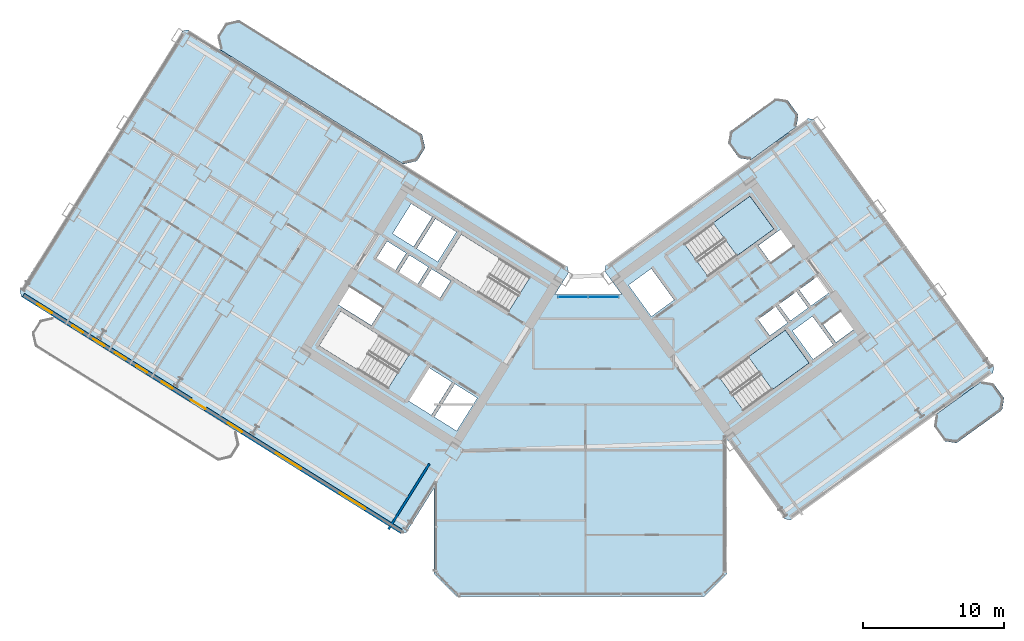
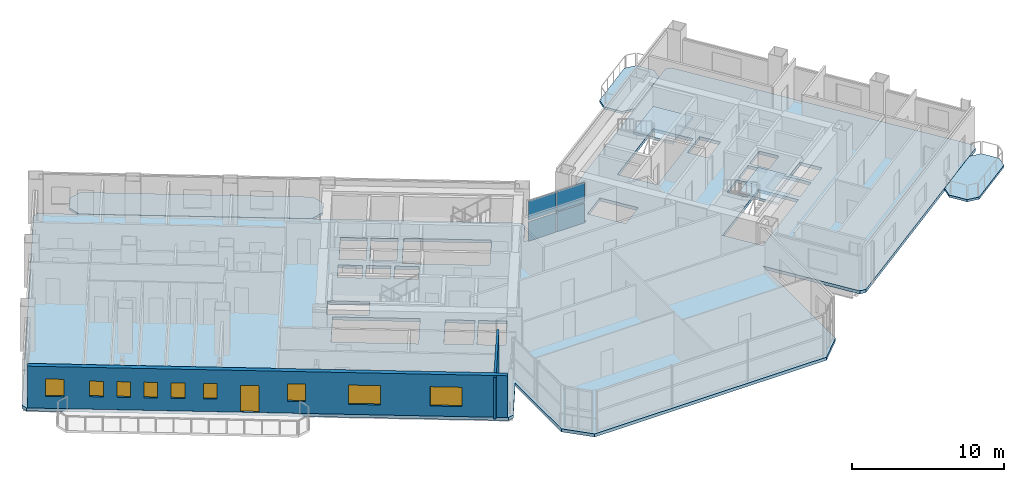
# One storey, part 14 of 28: 9 windows, 6 slabs, 4 plates, 2 walls, 1 door, 10 openings, 3 elements without a shape of their own.
"""IFC4 building model written with IfcOpenShell, lengths in metres."""

from ifc_helpers import new_model, si_unit, direction, frame, frame_2d, origin, origin_2d, place, context, subcontext, project, spatial, polyline, rectangle, outline, extrude, source, transform, mapped, material, layer, layer_set, type_object, element, fill, aggregate, save


model = new_model("IFC4")

# Units and contexts
model_context = context("Model", 3, precision=1e-05, world=origin(), true_north=direction((0.0, 1.0)))
body_context = subcontext(model_context, "Body", "Model", "MODEL_VIEW")
ifc_project = project(units=[si_unit("LENGTHUNIT", "METRE"), si_unit("AREAUNIT", "SQUARE_METRE"), si_unit("VOLUMEUNIT", "CUBIC_METRE"), si_unit("PLANEANGLEUNIT", "RADIAN"), si_unit("MASSUNIT", "GRAM", prefix="KILO")], contexts=[model_context])

# Site, building, storey
site_placement = place(None, origin())
site = spatial("IfcSite", under=ifc_project, at=site_placement, CompositionType="ELEMENT")
building_placement = place(site_placement, origin())
building = spatial("IfcBuilding", under=site, at=building_placement, Name="Tlacorven Tower", CompositionType="ELEMENT")
storey_placement = place(building_placement, frame((0.0, 0.0, 63.60009765625)))
storey = spatial("IfcBuildingStorey", under=building, at=storey_placement, Name="L16", CompositionType="ELEMENT", Elevation=63.60009765625)

# Slabs
ifc_material_1 = material(Name="Precast concrete C45/55", Category="concrete")
ifc_layer_1 = layer(ifc_material_1, 0.179931640625)
ifc_layer_set_1 = layer_set([ifc_layer_1], Name="Precast concrete C45/55")
slab_type_1 = type_object("IfcSlabType", Name="SL-BAL-180", PredefinedType="USERDEFINED", material=ifc_layer_set_1)
slab_1_placement = place(storey_placement, frame((0.0, 0.0, -0.18017578125)))
element("IfcSlab", 1, at=slab_1_placement, inside=storey, type_object=slab_type_1, Name="L16 West Wing Balcony Ribbon IN", ObjectType="BALCONY SLAB", PredefinedType="USERDEFINED", context=body_context, shape_type="SweptSolid", body=[
    extrude(outline(polyline([(30.756591796875, 34.57763671875), (17.781494140625, 42.685546875), (16.81689453125, 42.462890625), (16.236572265625, 41.5341796875), (16.459228515625, 40.569580078125), (29.434326171875, 32.4619140625), (30.39892578125, 32.6845703125), (30.979248046875, 33.613037109375), (30.756591796875, 34.57763671875)])), origin(), (0.0, 0.0, 1.0), 0.18017578125),
])
slab_2_placement = place(storey_placement, frame((0.0, 0.0, -0.18017578125)))
element("IfcSlab", 2, at=slab_2_placement, inside=storey, type_object=slab_type_1, Name="L16 East Wing Balcony Ribbon OUT", ObjectType="BALCONY SLAB", PredefinedType="USERDEFINED", context=body_context, shape_type="SweptSolid", body=[
    extrude(outline(polyline([(68.669921875, 12.678955078125), (71.906005859375, 15.0302734375), (72.03857421875, 15.8681640625), (71.27734375, 16.916015625), (70.439453125, 17.048583984375), (67.203369140625, 14.697509765625), (67.070556640625, 13.859375), (67.831787109375, 12.811767578125), (68.669921875, 12.678955078125)])), origin(), (0.0, 0.0, 1.0), 0.18017578125),
])
slab_3_placement = place(storey_placement, frame((0.0, 0.0, -0.18017578125)))
element("IfcSlab", 3, at=slab_3_placement, inside=storey, type_object=slab_type_1, Name="L16 East Wing Balcony Ribbon IN", ObjectType="BALCONY SLAB", PredefinedType="USERDEFINED", context=body_context, shape_type="SweptSolid", body=[
    extrude(outline(polyline([(54.078125, 32.762939453125), (57.314208984375, 35.114013671875), (57.44677734375, 35.9521484375), (56.685791015625, 36.999755859375), (55.84765625, 37.132568359375), (52.611572265625, 34.78125), (52.478759765625, 33.943359375), (53.239990234375, 32.8955078125), (54.078125, 32.762939453125)])), origin(), (0.0, 0.0, 1.0), 0.18017578125),
])

# Stair, slab
ifc_material_2 = material(Name="Concrete C40/50", Category="concrete")
stair_type = type_object("IfcStairType", Name="ST-CORE-DLG", PredefinedType="HALF_TURN_STAIR", material=ifc_material_2)
stair_1_placement = place(storey_placement, origin())
stair_1 = element("IfcStair", 4, at=stair_1_placement, inside=storey, type_object=stair_type, Name="L16 Protected Exit Stair East 1", PredefinedType="HALF_TURN_STAIR")
ifc_layer_2 = layer(ifc_material_2, 0.199951171875)
ifc_layer_set_2 = layer_set([ifc_layer_2], Name="Concrete C40/50")
slab_type_2 = type_object("IfcSlabType", Name="SL-LND-200", PredefinedType="LANDING", material=ifc_layer_set_2)
slab_4_placement = place(storey_placement, frame((0.0, 0.0, 1.599853515625)))
slab_4 = element("IfcSlab", 5, at=slab_4_placement, type_object=slab_type_2, Name="ST-E1 landing 1", PredefinedType="LANDING", context=body_context, shape_type="SweptSolid", body=[
    extrude(outline(polyline([(53.09765625, 25.962890625), (55.7109375, 27.861572265625), (54.01806640625, 30.19140625), (51.40478515625, 28.29296875), (53.09765625, 25.962890625)])), origin(), (0.0, 0.0, 1.0), 0.199951171875),
])
aggregate(stair_1, [slab_4])

stair_2_placement = place(storey_placement, origin())
stair_2 = element("IfcStair", 6, at=stair_2_placement, inside=storey, type_object=stair_type, Name="L16 Protected Exit Stair East 2", PredefinedType="HALF_TURN_STAIR")
slab_5_placement = place(storey_placement, frame((0.0, 0.0, 1.599853515625)))
slab_5 = element("IfcSlab", 7, at=slab_5_placement, type_object=slab_type_2, Name="ST-E2 landing 1", PredefinedType="LANDING", context=body_context, shape_type="SweptSolid", body=[
    extrude(outline(polyline([(55.601806640625, 16.4599609375), (58.21484375, 18.3583984375), (56.52197265625, 20.6884765625), (53.908935546875, 18.789794921875), (55.601806640625, 16.4599609375)])), origin(), (0.0, 0.0, 1.0), 0.199951171875),
])
aggregate(stair_2, [slab_5])

# Slab
ifc_layer_3 = layer(ifc_material_2, 0.25)
ifc_layer_set_3 = layer_set([ifc_layer_3], Name="Concrete C40/50")
slab_type_3 = type_object("IfcSlabType", Name="SL-TWR-250", PredefinedType="FLOOR", material=ifc_layer_set_3)
slab_6_placement = place(storey_placement, frame((0.0, 0.0, -0.25)))
element("IfcSlab", 8, at=slab_6_placement, inside=storey, type_object=slab_type_3, Name="L16 Boomerang Tower Floor Slab", PredefinedType="FLOOR", context=body_context, shape_type="SweptSolid", body=[
    extrude(outline(polyline([(52.39990234375, 3.39990234375), (50.800048828125, 1.800048828125), (33.199951171875, 1.800048828125), (31.60009765625, 3.39990234375), (31.60009765625, 9.470703125), (29.652587890625, 6.35400390625), (29.2392578125, 6.258544921875), (2.339111328125, 23.067626953125), (2.24365234375, 23.481201171875), (13.75341796875, 41.900634765625), (14.1669921875, 41.99609375), (41.06689453125, 25.18701171875), (41.162353515625, 24.773681640625), (40.178955078125, 23.199951171875), (44.932373046875, 23.199951171875), (43.723876953125, 24.86328125), (43.790283203125, 25.2822265625), (58.1259765625, 35.69775390625), (58.545166015625, 35.63134765625), (71.311767578125, 18.0595703125), (71.245361328125, 17.640380859375), (56.90966796875, 7.224853515625), (56.49072265625, 7.291259765625), (52.39990234375, 12.921630859375), (52.39990234375, 3.39990234375)]), holes=[polyline([(29.865478515625, 18.979736328125), (24.9892578125, 22.02685546875), (23.463134765625, 19.58447265625), (28.33935546875, 16.537353515625), (29.865478515625, 18.979736328125)]), polyline([(38.4169921875, 24.4375), (33.540771484375, 27.484375), (32.0146484375, 25.0419921875), (36.890869140625, 21.9951171875), (38.4169921875, 24.4375)]), polyline([(51.05908203125, 24.481689453125), (55.7109375, 27.861572265625), (54.01806640625, 30.19140625), (49.3662109375, 26.811767578125), (51.05908203125, 24.481689453125)]), polyline([(53.56298828125, 14.978759765625), (58.21484375, 18.3583984375), (56.52197265625, 20.6884765625), (51.8701171875, 17.30859375), (53.56298828125, 14.978759765625)]), polyline([(34.682373046875, 15.87548828125), (33.088134765625, 16.871826171875), (31.62548828125, 14.531005859375), (33.2197265625, 13.534912109375), (34.682373046875, 15.87548828125)]), polyline([(32.884521484375, 16.9990234375), (31.2392578125, 18.02685546875), (29.77685546875, 15.686279296875), (31.421875, 14.658203125), (32.884521484375, 16.9990234375)]), polyline([(47.0234375, 21.648681640625), (48.6416015625, 22.82421875), (47.019287109375, 25.05712890625), (45.401123046875, 23.881591796875), (47.0234375, 21.648681640625)]), polyline([(33.197265625, 27.65185546875), (31.704833984375, 28.58447265625), (30.3798828125, 26.46435546875), (31.87255859375, 25.53173828125), (33.197265625, 27.65185546875)]), polyline([(31.484375, 28.722412109375), (29.99169921875, 29.655029296875), (28.6669921875, 27.534912109375), (30.159423828125, 26.602294921875), (31.484375, 28.722412109375)]), polyline([(32.794921875, 24.17724609375), (31.43798828125, 25.025146484375), (30.685546875, 23.82080078125), (32.042236328125, 22.972900390625), (32.794921875, 24.17724609375)]), polyline([(31.217529296875, 25.162841796875), (29.860595703125, 26.0107421875), (29.108154296875, 24.806396484375), (30.465087890625, 23.958740234375), (31.217529296875, 25.162841796875)]), polyline([(29.64013671875, 26.1484375), (28.283203125, 26.996337890625), (27.53076171875, 25.792236328125), (28.8876953125, 24.9443359375), (29.64013671875, 26.1484375)]), polyline([(55.427734375, 20.288818359375), (56.68994140625, 21.205810546875), (55.855224609375, 22.354736328125), (54.59326171875, 21.437744140625), (55.427734375, 20.288818359375)]), polyline([(56.884033203125, 21.346923828125), (58.146240234375, 22.263916015625), (57.3115234375, 23.41259765625), (56.04931640625, 22.495849609375), (56.884033203125, 21.346923828125)]), polyline([(58.34033203125, 22.405029296875), (59.602294921875, 23.322021484375), (58.767578125, 24.470703125), (57.505615234375, 23.5537109375), (58.34033203125, 22.405029296875)]), polyline([(58.498779296875, 18.614013671875), (59.922607421875, 19.648681640625), (58.453125, 21.671142578125), (57.029296875, 20.63671875), (58.498779296875, 18.614013671875)]), polyline([(27.96142578125, 22.2919921875), (25.603759765625, 23.76513671875), (24.80908203125, 22.4931640625), (27.16650390625, 21.02001953125), (27.96142578125, 22.2919921875)]), polyline([(55.490478515625, 25.4765625), (57.092529296875, 26.640380859375), (56.210693359375, 27.85400390625), (54.60888671875, 26.690185546875), (55.490478515625, 25.4765625)]), polyline([(60.12109375, 19.817626953125), (61.38330078125, 20.734619140625), (60.45458984375, 22.012939453125), (59.192626953125, 21.095947265625), (60.12109375, 19.817626953125)])]), origin(), (0.0, 0.0, 1.0), 0.25),
])

# Curtain wall, plates
ifc_material_3 = material(Name="Dark solar low-E double glazing in aluminium frame", Category="aluminium")
curtain_wall_type = type_object("IfcCurtainWallType", Name="CW-TWR-LOW", PredefinedType="USERDEFINED", material=ifc_material_3)
curtain_wall_placement = place(storey_placement, origin())
curtain_wall = element("IfcCurtainWall", 9, at=curtain_wall_placement, inside=storey, type_object=curtain_wall_type, Name="L16 CW-TWR-LOW Curtain Wall 92", ObjectType="UNITISED CURTAIN WALL", PredefinedType="USERDEFINED")
ifc_material_4 = material(Name="Dark solar double low-E glazing", Category="glass")
ifc_layer_4 = layer(ifc_material_4, 0.031982421875)
ifc_layer_set_4 = layer_set([ifc_layer_4], Name="Dark solar double low-E glazing")
plate_type = type_object("IfcPlateType", Name="CWP-02", PredefinedType="CURTAIN_PANEL", material=ifc_layer_set_4)
shared_shape_1 = source(origin(), body_context, "Body", "SweptSolid", [
    extrude(rectangle(XDim=2.110595703125, YDim=0.031982421875, at=origin_2d()), origin(), (0.0, 0.0, 1.0), 1.552978515625),
])
plate_1_placement = place(storey_placement, frame((41.47802734375, 23.0400390625, 0.06103515625), z_axis=(0.0, 0.0, 1.0), x_axis=(1.0, 0.0, 0.0)))
plate_1 = element("IfcPlate", 10, at=plate_1_placement, type_object=plate_type, Name="CW-L16-092 Glazing Panel 1", PredefinedType="CURTAIN_PANEL", context=body_context, shape_type="MappedRepresentation", body=[
    mapped(shared_shape_1, transform((0.0, 0.0, 0.0), scale=1.0)),
])
plate_2_placement = place(storey_placement, frame((41.47802734375, 23.0400390625, 1.73583984375), z_axis=(0.0, 0.0, 1.0), x_axis=(1.0, 0.0, 0.0)))
plate_2 = element("IfcPlate", 11, at=plate_2_placement, type_object=plate_type, Name="CW-L16-092 Glazing Panel 2", PredefinedType="CURTAIN_PANEL", context=body_context, shape_type="MappedRepresentation", body=[
    mapped(shared_shape_1, transform((0.0, 0.0, 0.0), scale=1.0)),
])
plate_3_placement = place(storey_placement, frame((43.640625, 23.0400390625, 0.06103515625), z_axis=(0.0, 0.0, 1.0), x_axis=(1.0, 0.0, 0.0)))
plate_3 = element("IfcPlate", 12, at=plate_3_placement, type_object=plate_type, Name="CW-L16-092 Glazing Panel 3", PredefinedType="CURTAIN_PANEL", context=body_context, shape_type="MappedRepresentation", body=[
    mapped(shared_shape_1, transform((0.0, 0.0, 0.0), scale=1.0)),
])
plate_4_placement = place(storey_placement, frame((43.640625, 23.0400390625, 1.73583984375), z_axis=(0.0, 0.0, 1.0), x_axis=(1.0, 0.0, 0.0)))
plate_4 = element("IfcPlate", 13, at=plate_4_placement, type_object=plate_type, Name="CW-L16-092 Glazing Panel 4", PredefinedType="CURTAIN_PANEL", context=body_context, shape_type="MappedRepresentation", body=[
    mapped(shared_shape_1, transform((0.0, 0.0, 0.0), scale=1.0)),
])
aggregate(curtain_wall, [plate_1, plate_2, plate_3, plate_4])

# Wall
ifc_material_5 = material(Name="Gypsum plasterboard acoustic partition", Category="gypsum")
ifc_layer_5 = layer(ifc_material_5, 0.159912109375)
ifc_layer_set_5 = layer_set([ifc_layer_5], Name="Gypsum plasterboard acoustic partition")
wall_type_1 = type_object("IfcWallType", Name="WL-DEM-160", PredefinedType="PARTITIONING", material=ifc_layer_set_5)
wall_1_placement = place(storey_placement, frame((31.282470703125, 11.2080078125, 0.0), z_axis=(0.0, 0.0, 1.0), x_axis=(-0.529938869374, -0.84803584519, 0.0)))
element("IfcWall", 14, at=wall_1_placement, inside=storey, type_object=wall_type_1, Name="L16 WC West Throat Wall", PredefinedType="PARTITIONING", context=body_context, shape_type="SweptSolid", body=[
    extrude(rectangle(XDim=5.47998046875, YDim=0.159912109375, at=frame_2d((2.739990234375, 0.0))), origin(), (0.0, 0.0, 1.0), 3.33984375),
])

# Wall, openings, door, windows
ifc_layer_6 = layer(ifc_material_1, 0.320068359375)
ifc_layer_set_6 = layer_set([ifc_layer_6], Name="Precast concrete C45/55")
wall_type_2 = type_object("IfcWallType", Name="WL-EXT-320", PredefinedType="STANDARD", material=ifc_layer_set_6)
wall_2_placement = place(storey_placement, frame((29.267822265625, 6.429443359375, 0.0), z_axis=(0.0, 0.0, 1.0), x_axis=(-0.848049971435, 0.529916263149, 0.0)))
wall_2 = element("IfcWall", 15, at=wall_2_placement, inside=storey, type_object=wall_type_2, Name="L16 Masonry-Frame Recessed Facade Wall 1", PredefinedType="STANDARD", context=body_context, shape_type="SweptSolid", body=[
    extrude(rectangle(XDim=31.587646484375, YDim=0.320068359375, at=frame_2d((15.7939453125, 0.0))), origin(), (0.0, 0.0, 1.0), 3.349853515625),
])
opening_1_placement = place(wall_2_placement, frame((16.36181640625, 0.0, 0.0)))
opening_1 = element("IfcOpeningElement", 16, at=opening_1_placement, cuts=wall_2, Name="Opening D05", PredefinedType="OPENING", context=body_context, shape_type="SweptSolid", body=[
    extrude(rectangle(XDim=1.199951171875, YDim=2.14990234375, at=frame_2d((0.60009765625, 1.074951171875))), frame((0.0, 0.169921875, 0.0), z_axis=(0.0, -1.0, 0.0), x_axis=(1.0, 0.0, 0.0)), (0.0, 0.0, 1.0), 0.340087890625),
])
opening_2_placement = place(wall_2_placement, frame((2.98876953125, 0.0, 0.800048828125)))
opening_2 = element("IfcOpeningElement", 17, at=opening_2_placement, cuts=wall_2, Name="Opening WN04", PredefinedType="OPENING", context=body_context, shape_type="SweptSolid", body=[
    extrude(rectangle(XDim=2.10009765625, YDim=1.550048828125, at=frame_2d((1.050048828125, 0.77490234375))), frame((0.0, 0.169921875, 0.0), z_axis=(0.0, -1.0, 0.0), x_axis=(1.0, 0.0, 0.0)), (0.0, 0.0, 1.0), 0.340087890625),
])
opening_3_placement = place(wall_2_placement, frame((8.358642578125, 0.0, 0.800048828125)))
opening_3 = element("IfcOpeningElement", 18, at=opening_3_placement, cuts=wall_2, Name="Opening WN04", PredefinedType="OPENING", context=body_context, shape_type="SweptSolid", body=[
    extrude(rectangle(XDim=2.10009765625, YDim=1.550048828125, at=frame_2d((1.050048828125, 0.77490234375))), frame((0.0, 0.169921875, 0.0), z_axis=(0.0, -1.0, 0.0), x_axis=(1.0, 0.0, 0.0)), (0.0, 0.0, 1.0), 0.340087890625),
])
opening_4_placement = place(wall_2_placement, frame((13.28369140625, 0.0, 0.949951171875)))
opening_4 = element("IfcOpeningElement", 19, at=opening_4_placement, cuts=wall_2, Name="Opening WN03", PredefinedType="OPENING", context=body_context, shape_type="SweptSolid", body=[
    extrude(rectangle(XDim=1.199951171875, YDim=1.39990234375, at=frame_2d((0.60009765625, 0.699951171875))), frame((0.0, 0.169921875, 0.0), z_axis=(0.0, -1.0, 0.0), x_axis=(1.0, 0.0, 0.0)), (0.0, 0.0, 1.0), 0.340087890625),
])
opening_5_placement = place(wall_2_placement, frame((29.18798828125, 0.0, 0.949951171875)))
opening_5 = element("IfcOpeningElement", 20, at=opening_5_placement, cuts=wall_2, Name="Opening WN03", PredefinedType="OPENING", context=body_context, shape_type="SweptSolid", body=[
    extrude(rectangle(XDim=1.199951171875, YDim=1.39990234375, at=frame_2d((0.60009765625, 0.699951171875))), frame((0.0, 0.169921875, 0.0), z_axis=(0.0, -1.0, 0.0), x_axis=(1.0, 0.0, 0.0)), (0.0, 0.0, 1.0), 0.340087890625),
])
opening_6_placement = place(wall_2_placement, frame((19.110107421875, 0.0, 1.0)))
opening_6 = element("IfcOpeningElement", 21, at=opening_6_placement, cuts=wall_2, Name="Opening WN05", PredefinedType="OPENING", context=body_context, shape_type="SweptSolid", body=[
    extrude(rectangle(XDim=0.89990234375, YDim=1.25, at=frame_2d((0.449951171875, 0.625))), frame((0.0, 0.169921875, 0.0), z_axis=(0.0, -1.0, 0.0), x_axis=(1.0, 0.0, 0.0)), (0.0, 0.0, 1.0), 0.340087890625),
])
opening_7_placement = place(wall_2_placement, frame((21.2255859375, 0.0, 1.0)))
opening_7 = element("IfcOpeningElement", 22, at=opening_7_placement, cuts=wall_2, Name="Opening WN05", PredefinedType="OPENING", context=body_context, shape_type="SweptSolid", body=[
    extrude(rectangle(XDim=0.89990234375, YDim=1.25, at=frame_2d((0.449951171875, 0.625))), frame((0.0, 0.169921875, 0.0), z_axis=(0.0, -1.0, 0.0), x_axis=(1.0, 0.0, 0.0)), (0.0, 0.0, 1.0), 0.340087890625),
])
opening_8_placement = place(wall_2_placement, frame((23.013671875, 0.0, 1.0)))
opening_8 = element("IfcOpeningElement", 23, at=opening_8_placement, cuts=wall_2, Name="Opening WN05", PredefinedType="OPENING", context=body_context, shape_type="SweptSolid", body=[
    extrude(rectangle(XDim=0.89990234375, YDim=1.25, at=frame_2d((0.449951171875, 0.625))), frame((0.0, 0.169921875, 0.0), z_axis=(0.0, -1.0, 0.0), x_axis=(1.0, 0.0, 0.0)), (0.0, 0.0, 1.0), 0.340087890625),
])
opening_9_placement = place(wall_2_placement, frame((24.8017578125, 0.0, 1.0)))
opening_9 = element("IfcOpeningElement", 24, at=opening_9_placement, cuts=wall_2, Name="Opening WN05", PredefinedType="OPENING", context=body_context, shape_type="SweptSolid", body=[
    extrude(rectangle(XDim=0.89990234375, YDim=1.25, at=frame_2d((0.449951171875, 0.625))), frame((0.0, 0.169921875, 0.0), z_axis=(0.0, -1.0, 0.0), x_axis=(1.0, 0.0, 0.0)), (0.0, 0.0, 1.0), 0.340087890625),
])
opening_10_placement = place(wall_2_placement, frame((26.589599609375, 0.0, 1.0)))
opening_10 = element("IfcOpeningElement", 25, at=opening_10_placement, cuts=wall_2, Name="Opening WN05", PredefinedType="OPENING", context=body_context, shape_type="SweptSolid", body=[
    extrude(rectangle(XDim=0.89990234375, YDim=1.25, at=frame_2d((0.449951171875, 0.625))), frame((0.0, 0.169921875, 0.0), z_axis=(0.0, -1.0, 0.0), x_axis=(1.0, 0.0, 0.0)), (0.0, 0.0, 1.0), 0.340087890625),
])
ifc_material_6 = material(Name="Powder-coated aluminium and timber door", Category="wood")
door_type = type_object("IfcDoorType", Name="DR-EXT-BALC-1200", OperationType="NOTDEFINED", PredefinedType="DOOR", material=ifc_material_6)
shared_shape_2 = source(origin(), body_context, "Body", "SweptSolid", [
    extrude(rectangle(XDim=1.199951171875, YDim=2.14990234375, at=frame_2d((0.60009765625, 1.074951171875))), frame((0.0, 0.02490234375, 0.0), z_axis=(0.0, -1.0, 0.0), x_axis=(1.0, 0.0, 0.0)), (0.0, 0.0, 1.0), 0.050048828125),
])
door_placement = place(opening_1_placement, origin())
door = element("IfcDoor", 26, at=door_placement, inside=storey, type_object=door_type, Name="L16 Outdoor Access Door BAL-L16-W-OUT", OperationType="SINGLE_SWING_LEFT", OverallHeight=2.14990234375, OverallWidth=1.199951171875, PredefinedType="DOOR", context=body_context, shape_type="MappedRepresentation", body=[
    mapped(shared_shape_2, transform((0.0, 0.0, 0.0), scale=1.0)),
])
fill(opening_1, door)
ifc_material_7 = material(Name="Dark solar low-E double glazing in anodised aluminium frame", Category="aluminium")
window_type_1 = type_object("IfcWindowType", Name="WN-APT-2100X1750", PartitioningType="SINGLE_PANEL", PredefinedType="WINDOW", material=ifc_material_7)
shared_shape_3 = source(origin(), body_context, "Body", "SweptSolid", [
    extrude(rectangle(XDim=2.10009765625, YDim=1.550048828125, at=frame_2d((1.050048828125, 0.77490234375))), frame((0.0, 0.030029296875, 0.0), z_axis=(0.0, -1.0, 0.0), x_axis=(1.0, 0.0, 0.0)), (0.0, 0.0, 1.0), 0.06005859375),
])
window_1_placement = place(opening_2_placement, origin())
window_1 = element("IfcWindow", 27, at=window_1_placement, inside=storey, type_object=window_type_1, Name="L16 Recessed Masonry-Frame Window L16-01.1", OverallHeight=1.550048828125, OverallWidth=2.10009765625, PartitioningType="SINGLE_PANEL", PredefinedType="WINDOW", context=body_context, shape_type="MappedRepresentation", body=[
    mapped(shared_shape_3, transform((0.0, 0.0, 0.0), scale=1.0)),
])
fill(opening_2, window_1)
window_2_placement = place(opening_3_placement, origin())
window_2 = element("IfcWindow", 28, at=window_2_placement, inside=storey, type_object=window_type_1, Name="L16 Recessed Masonry-Frame Window L16-01.2", OverallHeight=1.550048828125, OverallWidth=2.10009765625, PartitioningType="SINGLE_PANEL", PredefinedType="WINDOW", context=body_context, shape_type="MappedRepresentation", body=[
    mapped(shared_shape_3, transform((0.0, 0.0, 0.0), scale=1.0)),
])
fill(opening_3, window_2)
window_type_2 = type_object("IfcWindowType", Name="WN-APT-1200X1500", PartitioningType="SINGLE_PANEL", PredefinedType="WINDOW", material=ifc_material_7)
shared_shape_4 = source(origin(), body_context, "Body", "SweptSolid", [
    extrude(rectangle(XDim=1.199951171875, YDim=1.39990234375, at=frame_2d((0.60009765625, 0.699951171875))), frame((0.0, 0.030029296875, 0.0), z_axis=(0.0, -1.0, 0.0), x_axis=(1.0, 0.0, 0.0)), (0.0, 0.0, 1.0), 0.06005859375),
])
window_3_placement = place(opening_4_placement, origin())
window_3 = element("IfcWindow", 29, at=window_3_placement, inside=storey, type_object=window_type_2, Name="L16 Recessed Masonry-Frame Window L16-01.3", OverallHeight=1.39990234375, OverallWidth=1.199951171875, PartitioningType="SINGLE_PANEL", PredefinedType="WINDOW", context=body_context, shape_type="MappedRepresentation", body=[
    mapped(shared_shape_4, transform((0.0, 0.0, 0.0), scale=1.0)),
])
fill(opening_4, window_3)
window_4_placement = place(opening_5_placement, origin())
window_4 = element("IfcWindow", 30, at=window_4_placement, inside=storey, type_object=window_type_2, Name="L16 Recessed Masonry-Frame Window L16-01.4", OverallHeight=1.39990234375, OverallWidth=1.199951171875, PartitioningType="SINGLE_PANEL", PredefinedType="WINDOW", context=body_context, shape_type="MappedRepresentation", body=[
    mapped(shared_shape_4, transform((0.0, 0.0, 0.0), scale=1.0)),
])
fill(opening_5, window_4)
window_type_3 = type_object("IfcWindowType", Name="WN-APT-0900X1350", PartitioningType="SINGLE_PANEL", PredefinedType="WINDOW", material=ifc_material_7)
shared_shape_5 = source(origin(), body_context, "Body", "SweptSolid", [
    extrude(rectangle(XDim=0.89990234375, YDim=1.25, at=frame_2d((0.449951171875, 0.625))), frame((0.0, 0.030029296875, 0.0), z_axis=(0.0, -1.0, 0.0), x_axis=(1.0, 0.0, 0.0)), (0.0, 0.0, 1.0), 0.06005859375),
])
window_5_placement = place(opening_6_placement, origin())
window_5 = element("IfcWindow", 31, at=window_5_placement, inside=storey, type_object=window_type_3, Name="L16 Dwelling Daylight Window L16-U02-BD1", OverallHeight=1.25, OverallWidth=0.89990234375, PartitioningType="SINGLE_PANEL", PredefinedType="WINDOW", context=body_context, shape_type="MappedRepresentation", body=[
    mapped(shared_shape_5, transform((0.0, 0.0, 0.0), scale=1.0)),
])
fill(opening_6, window_5)
window_6_placement = place(opening_7_placement, origin())
window_6 = element("IfcWindow", 32, at=window_6_placement, inside=storey, type_object=window_type_3, Name="L16 Dwelling Daylight Window L16-U02-BD2", OverallHeight=1.25, OverallWidth=0.89990234375, PartitioningType="SINGLE_PANEL", PredefinedType="WINDOW", context=body_context, shape_type="MappedRepresentation", body=[
    mapped(shared_shape_5, transform((0.0, 0.0, 0.0), scale=1.0)),
])
fill(opening_7, window_6)
window_7_placement = place(opening_8_placement, origin())
window_7 = element("IfcWindow", 33, at=window_7_placement, inside=storey, type_object=window_type_3, Name="L16 Dwelling Daylight Window L16-U02-BD3", OverallHeight=1.25, OverallWidth=0.89990234375, PartitioningType="SINGLE_PANEL", PredefinedType="WINDOW", context=body_context, shape_type="MappedRepresentation", body=[
    mapped(shared_shape_5, transform((0.0, 0.0, 0.0), scale=1.0)),
])
fill(opening_8, window_7)
window_8_placement = place(opening_9_placement, origin())
window_8 = element("IfcWindow", 34, at=window_8_placement, inside=storey, type_object=window_type_3, Name="L16 Dwelling Daylight Window L16-U02-BD4", OverallHeight=1.25, OverallWidth=0.89990234375, PartitioningType="SINGLE_PANEL", PredefinedType="WINDOW", context=body_context, shape_type="MappedRepresentation", body=[
    mapped(shared_shape_5, transform((0.0, 0.0, 0.0), scale=1.0)),
])
fill(opening_9, window_8)
window_9_placement = place(opening_10_placement, origin())
window_9 = element("IfcWindow", 35, at=window_9_placement, inside=storey, type_object=window_type_3, Name="L16 Dwelling Daylight Window L16-U02-BD5", OverallHeight=1.25, OverallWidth=0.89990234375, PartitioningType="SINGLE_PANEL", PredefinedType="WINDOW", context=body_context, shape_type="MappedRepresentation", body=[
    mapped(shared_shape_5, transform((0.0, 0.0, 0.0), scale=1.0)),
])
fill(opening_10, window_9)

save(model, "model.ifc")
